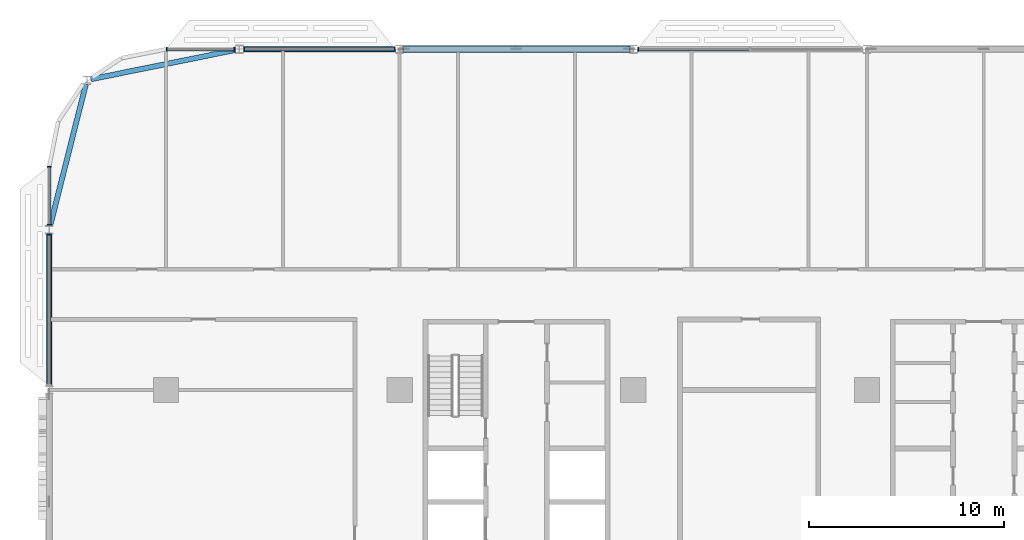
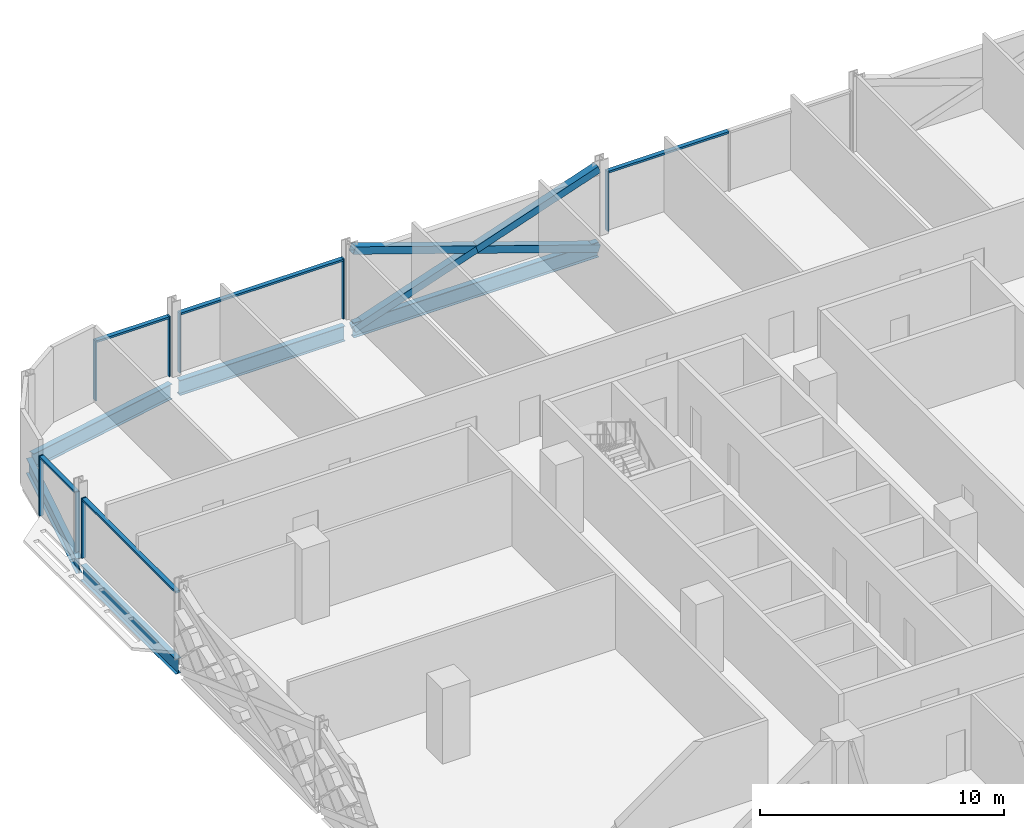
# One storey, part 6 of 29: 16 members, 5 beams, 5 elements without a shape of their own.
"""IFC4 building model written with IfcOpenShell, lengths in metres."""

from ifc_helpers import new_model, si_unit, direction, frame, origin, origin_2d, place, context, subcontext, project, spatial, rectangle, hollow_rectangle, i_section, extrude, material, material_profile, profile_set, type_object, element, aggregate, save


model = new_model("IFC4")

# Units and contexts
model_context = context("Model", 3, precision=1e-05, world=origin(), true_north=direction((0.0, 1.0)))
body_context = subcontext(model_context, "Body", "Model", "MODEL_VIEW")
ifc_project = project(units=[si_unit("LENGTHUNIT", "METRE"), si_unit("AREAUNIT", "SQUARE_METRE"), si_unit("VOLUMEUNIT", "CUBIC_METRE"), si_unit("PLANEANGLEUNIT", "RADIAN"), si_unit("MASSUNIT", "GRAM", prefix="KILO")], contexts=[model_context])

# Site, building, storey
site_placement = place(None, origin())
site = spatial("IfcSite", under=ifc_project, at=site_placement, CompositionType="ELEMENT")
building_placement = place(site_placement, origin())
building = spatial("IfcBuilding", under=site, at=building_placement, Name="Mahtab Terrace Research Tower", CompositionType="ELEMENT")
storey_placement = place(building_placement, frame((0.0, 0.0, 142.5)))
storey = spatial("IfcBuildingStorey", under=building, at=storey_placement, Name="L33", CompositionType="ELEMENT", Elevation=142.5)

# Members
ifc_material_1 = material(Name="Steel ASTM A500 Gr C", Category="steel")
ifc_material_profile_1 = material_profile(ifc_material_1, hollow_rectangle(XDim=0.355712890625, YDim=0.355712890625, WallThickness=0.01904296875, at=origin_2d()), Name="HSS14X14X3/4")
ifc_profile_set_1 = profile_set([ifc_material_profile_1], Name="Steel ASTM A500 Gr C")
member_type_1 = type_object("IfcMemberType", Name="HSS 14x14x3/4 brace XB141434", PredefinedType="BRACE", material=ifc_profile_set_1)
member_1_placement = place(storey_placement, frame((-18.205810546875, 29.0, -0.648193359375), z_axis=(-0.946288278, 0.0, 0.323324132908), x_axis=(0.0, -1.0, 0.0)))
element("IfcMember", 1, at=member_1_placement, inside=storey, type_object=member_type_1, Name="Exoskeleton brace L33 06 a", PredefinedType="BRACE", context=body_context, shape_type="SweptSolid", body=[
    extrude(hollow_rectangle(XDim=0.355712890625, YDim=0.355712890625, WallThickness=0.01904296875, at=origin_2d()), origin(), (0.0, 0.0, 1.0), 12.24609375),
])
for number, where, z_axis, x_axis, name in (
    (2, (-29.794189453125, 29.0, -0.648193359375), (0.946288278, 0.0, 0.323324132908), (0.0, 1.0, 0.0), "Exoskeleton brace L33 06 b1"),
    (3, (-24.0, 29.0, 1.33154296875), (0.946288278, 0.0, 0.323324132908), (0.0, 1.0, 0.0), "Exoskeleton brace L33 06 b2"),
):
    element("IfcMember", number, at=place(storey_placement, frame(where, z_axis=z_axis, x_axis=x_axis)), inside=storey, type_object=member_type_1, Name=name, PredefinedType="BRACE", context=body_context, shape_type="SweptSolid", body=[
        extrude(hollow_rectangle(XDim=0.355712890625, YDim=0.355712890625, WallThickness=0.01904296875, at=origin_2d()), origin(), (0.0, 0.0, 1.0), 6.123046875),
    ])

# Curtain wall, member
ifc_material_2 = material(Name="Laboratory ribbon curtain wall")
curtain_wall_type = type_object("IfcCurtainWallType", Name="Laboratory ribbon curtain wall", PredefinedType="NOTDEFINED", material=ifc_material_2)
curtain_wall_1_placement = place(storey_placement, origin())
curtain_wall_1 = element("IfcCurtainWall", 4, at=curtain_wall_1_placement, inside=storey, type_object=curtain_wall_type, Name="EN.L33.3.7", PredefinedType="NOTDEFINED")
ifc_material_3 = material(Name="Natural anodised aluminium", Category="aluminium")
ifc_material_profile_2 = material_profile(ifc_material_3, rectangle(XDim=0.199951171875, YDim=0.06494140625, at=origin_2d()), Name="MULLION 65x200")
ifc_profile_set_2 = profile_set([ifc_material_profile_2], Name="Natural anodised aluminium")
member_type_2 = type_object("IfcMemberType", Name="Laboratory ribbon curtain wall mullion", PredefinedType="MULLION", material=ifc_profile_set_2)
member_2_placement = place(storey_placement, frame((-17.74951171875, 29.0, 0.0), z_axis=(0.0, 0.0, 1.0), x_axis=(0.0, -1.0, 0.0)))
member_2 = element("IfcMember", 5, at=member_2_placement, type_object=member_type_2, Name="CWL-4 mullion 3", PredefinedType="MULLION", context=body_context, shape_type="SweptSolid", body=[
    extrude(rectangle(XDim=0.199951171875, YDim=0.06494140625, at=origin_2d()), origin(), (0.0, 0.0, 1.0), 3.003173828125),
])

# Curtain wall, members
curtain_wall_2_placement = place(storey_placement, origin())
curtain_wall_2 = element("IfcCurtainWall", 6, at=curtain_wall_2_placement, inside=storey, type_object=curtain_wall_type, Name="EN.L33.3.9", PredefinedType="NOTDEFINED")
member_3_placement = place(storey_placement, frame((-30.25048828125, 29.0, 0.0), z_axis=(0.0, 0.0, 1.0), x_axis=(0.0, -1.0, 0.0)))
member_3 = element("IfcMember", 7, at=member_3_placement, type_object=member_type_2, Name="CWL-4 mullion 1", PredefinedType="MULLION", context=body_context, shape_type="SweptSolid", body=[
    extrude(rectangle(XDim=0.199951171875, YDim=0.06494140625, at=origin_2d()), origin(), (0.0, 0.0, 1.0), 3.003173828125),
])
member_4_placement = place(storey_placement, frame((-37.98046875, 29.0, 0.0), z_axis=(0.0, 0.0, 1.0), x_axis=(0.0, -1.0, 0.0)))
member_4 = element("IfcMember", 8, at=member_4_placement, type_object=member_type_2, Name="CWL-4 mullion 2", PredefinedType="MULLION", context=body_context, shape_type="SweptSolid", body=[
    extrude(rectangle(XDim=0.199951171875, YDim=0.06494140625, at=origin_2d()), origin(), (0.0, 0.0, 1.0), 3.003173828125),
])

curtain_wall_3_placement = place(storey_placement, origin())
curtain_wall_3 = element("IfcCurtainWall", 9, at=curtain_wall_3_placement, inside=storey, type_object=curtain_wall_type, Name="EN.L33.3.10", PredefinedType="NOTDEFINED")
member_5_placement = place(storey_placement, frame((-38.4814453125, 29.0, 0.0), z_axis=(0.0, 0.0, 1.0), x_axis=(0.0, -1.0, 0.0)))
member_5 = element("IfcMember", 10, at=member_5_placement, type_object=member_type_2, Name="CWL-4 mullion 1", PredefinedType="MULLION", context=body_context, shape_type="SweptSolid", body=[
    extrude(rectangle(XDim=0.199951171875, YDim=0.06494140625, at=origin_2d()), origin(), (0.0, 0.0, 1.0), 3.003173828125),
])
member_6_placement = place(storey_placement, frame((-41.967529296875, 29.0, 0.0), z_axis=(0.0, 0.0, 1.0), x_axis=(0.0, -1.0, 0.0)))
member_6 = element("IfcMember", 11, at=member_6_placement, type_object=member_type_2, Name="CWL-4 mullion 2", PredefinedType="MULLION", context=body_context, shape_type="SweptSolid", body=[
    extrude(rectangle(XDim=0.199951171875, YDim=0.06494140625, at=origin_2d()), origin(), (0.0, 0.0, 1.0), 3.003173828125),
])

curtain_wall_4_placement = place(storey_placement, origin())
curtain_wall_4 = element("IfcCurtainWall", 12, at=curtain_wall_4_placement, inside=storey, type_object=curtain_wall_type, Name="EN.L33.8.15", PredefinedType="NOTDEFINED")
member_7_placement = place(storey_placement, frame((-48.0, 22.967529296875, 0.0), z_axis=(0.0, 0.0, 1.0), x_axis=(1.0, 0.0, 0.0)))
member_7 = element("IfcMember", 13, at=member_7_placement, type_object=member_type_2, Name="CWL-4 mullion 1", PredefinedType="MULLION", context=body_context, shape_type="SweptSolid", body=[
    extrude(rectangle(XDim=0.199951171875, YDim=0.06494140625, at=origin_2d()), origin(), (0.0, 0.0, 1.0), 3.003173828125),
])
member_8_placement = place(storey_placement, frame((-48.0, 19.9814453125, 0.0), z_axis=(0.0, 0.0, 1.0), x_axis=(1.0, 0.0, 0.0)))
member_8 = element("IfcMember", 14, at=member_8_placement, type_object=member_type_2, Name="CWL-4 mullion 2", PredefinedType="MULLION", context=body_context, shape_type="SweptSolid", body=[
    extrude(rectangle(XDim=0.199951171875, YDim=0.06494140625, at=origin_2d()), origin(), (0.0, 0.0, 1.0), 3.003173828125),
])

# Curtain wall, member
curtain_wall_5_placement = place(storey_placement, origin())
curtain_wall_5 = element("IfcCurtainWall", 15, at=curtain_wall_5_placement, inside=storey, type_object=curtain_wall_type, Name="EN.L33.8.16", PredefinedType="NOTDEFINED")
member_9_placement = place(storey_placement, frame((-48.0, 19.48046875, 0.0), z_axis=(0.0, 0.0, 1.0), x_axis=(1.0, 0.0, 0.0)))
member_9 = element("IfcMember", 16, at=member_9_placement, type_object=member_type_2, Name="CWL-4 mullion 1", PredefinedType="MULLION", context=body_context, shape_type="SweptSolid", body=[
    extrude(rectangle(XDim=0.199951171875, YDim=0.06494140625, at=origin_2d()), origin(), (0.0, 0.0, 1.0), 3.003173828125),
])

# Member
ifc_material_profile_3 = material_profile(ifc_material_3, rectangle(XDim=0.199951171875, YDim=0.10009765625, at=origin_2d()), Name="TRANSOM 100x200")
ifc_profile_set_3 = profile_set([ifc_material_profile_3], Name="Natural anodised aluminium")
member_type_3 = type_object("IfcMemberType", Name="Laboratory ribbon curtain wall transom", PredefinedType="USERDEFINED", material=ifc_profile_set_3)
member_10_placement = place(storey_placement, frame((-12.032470703125, 29.0, 2.953125), z_axis=(-1.0, 0.0, 0.0), x_axis=(0.0, -1.0, 0.0)))
member_10 = element("IfcMember", 17, at=member_10_placement, type_object=member_type_3, Name="CWL-4 transom 2", ObjectType="TRANSOM", PredefinedType="USERDEFINED", context=body_context, shape_type="SweptSolid", body=[
    extrude(rectangle(XDim=0.199951171875, YDim=0.10009765625, at=origin_2d()), origin(), (0.0, 0.0, 1.0), 5.6845703125),
])

aggregate(curtain_wall_1, [member_2, member_10])

member_11_placement = place(storey_placement, frame((-30.282958984375, 29.0, 2.953125), z_axis=(-1.0, 0.0, 0.0), x_axis=(0.0, -1.0, 0.0)))
member_11 = element("IfcMember", 18, at=member_11_placement, type_object=member_type_3, Name="CWL-4 transom 1", ObjectType="TRANSOM", PredefinedType="USERDEFINED", context=body_context, shape_type="SweptSolid", body=[
    extrude(rectangle(XDim=0.199951171875, YDim=0.10009765625, at=origin_2d()), origin(), (0.0, 0.0, 1.0), 7.6650390625),
])

aggregate(curtain_wall_2, [member_3, member_4, member_11])

member_12_placement = place(storey_placement, frame((-38.513916015625, 29.0, 2.953125), z_axis=(-1.0, 0.0, 0.0), x_axis=(0.0, -1.0, 0.0)))
member_12 = element("IfcMember", 19, at=member_12_placement, type_object=member_type_3, Name="CWL-4 transom 1", ObjectType="TRANSOM", PredefinedType="USERDEFINED", context=body_context, shape_type="SweptSolid", body=[
    extrude(rectangle(XDim=0.199951171875, YDim=0.10009765625, at=origin_2d()), origin(), (0.0, 0.0, 1.0), 3.421142578125),
])

aggregate(curtain_wall_3, [member_5, member_6, member_12])

member_13_placement = place(storey_placement, frame((-48.0, 22.93505859375, 2.953125), z_axis=(0.0, -1.0, 0.0), x_axis=(1.0, 0.0, 0.0)))
member_13 = element("IfcMember", 20, at=member_13_placement, type_object=member_type_3, Name="CWL-4 transom 1", ObjectType="TRANSOM", PredefinedType="USERDEFINED", context=body_context, shape_type="SweptSolid", body=[
    extrude(rectangle(XDim=0.199951171875, YDim=0.10009765625, at=origin_2d()), origin(), (0.0, 0.0, 1.0), 2.921142578125),
])

aggregate(curtain_wall_4, [member_7, member_8, member_13])

member_14_placement = place(storey_placement, frame((-48.0, 19.447998046875, 2.953125), z_axis=(0.0, -1.0, 0.0), x_axis=(1.0, 0.0, 0.0)))
member_14 = element("IfcMember", 21, at=member_14_placement, type_object=member_type_3, Name="CWL-4 transom 1", ObjectType="TRANSOM", PredefinedType="USERDEFINED", context=body_context, shape_type="SweptSolid", body=[
    extrude(rectangle(XDim=0.199951171875, YDim=0.10009765625, at=origin_2d()), origin(), (0.0, 0.0, 1.0), 7.6650390625),
])

aggregate(curtain_wall_5, [member_9, member_14])

# Beams
ifc_material_4 = material(Name="Steel ASTM A992 Gr 50", Category="steel")
ifc_material_profile_4 = material_profile(ifc_material_4, i_section(OverallWidth=0.2666015625, OverallDepth=0.7568359375, WebThickness=0.013916015625, FlangeThickness=0.019287109375, at=origin_2d()), Name="W30X108")
ifc_profile_set_4 = profile_set([ifc_material_profile_4], Name="Steel ASTM A992 Gr 50")
beam_type = type_object("IfcBeamType", Name="W30x108 beam BS30108", PredefinedType="BEAM", material=ifc_profile_set_4)
beam_1_placement = place(storey_placement, frame((-18.205810546875, 29.0, -0.718505859375), z_axis=(-1.0, 0.0, 0.0), x_axis=(0.0, -1.0, 0.0)))
element("IfcBeam", 22, at=beam_1_placement, inside=storey, type_object=beam_type, Name="Spandrel beam L33 06", PredefinedType="BEAM", context=body_context, shape_type="SweptSolid", body=[
    extrude(i_section(OverallWidth=0.2666015625, OverallDepth=0.7568359375, WebThickness=0.013916015625, FlangeThickness=0.019287109375, at=origin_2d()), origin(), (0.0, 0.0, 1.0), 11.58837890625),
])
beam_2_placement = place(storey_placement, frame((-30.205810546875, 29.0, -0.718505859375), z_axis=(-1.0, 0.0, 0.0), x_axis=(0.0, -1.0, 0.0)))
element("IfcBeam", 23, at=beam_2_placement, inside=storey, type_object=beam_type, Name="Spandrel beam L33 07", PredefinedType="BEAM", context=body_context, shape_type="SweptSolid", body=[
    extrude(i_section(OverallWidth=0.2666015625, OverallDepth=0.7568359375, WebThickness=0.013916015625, FlangeThickness=0.019287109375, at=origin_2d()), origin(), (0.0, 0.0, 1.0), 7.8193359375),
])
beam_3_placement = place(storey_placement, frame((-38.436767578125, 28.95849609375, -0.718505859375), z_axis=(-0.980144108674, -0.198286475161, 0.0), x_axis=(0.198286475161, -0.980144108674, 0.0)))
element("IfcBeam", 24, at=beam_3_placement, inside=storey, type_object=beam_type, Name="Spandrel beam L33 08", PredefinedType="BEAM", context=body_context, shape_type="SweptSolid", body=[
    extrude(i_section(OverallWidth=0.2666015625, OverallDepth=0.7568359375, WebThickness=0.013916015625, FlangeThickness=0.019287109375, at=origin_2d()), origin(), (0.0, 0.0, 1.0), 7.56982421875),
])
beam_4_placement = place(storey_placement, frame((-46.11669921875, 27.19873046875, -0.718505859375), z_axis=(-0.244547874366, -0.969637219347, 0.0), x_axis=(0.969637219347, -0.244547874366, 0.0)))
element("IfcBeam", 25, at=beam_4_placement, inside=storey, type_object=beam_type, Name="Spandrel beam L33 09", PredefinedType="BEAM", context=body_context, shape_type="SweptSolid", body=[
    extrude(i_section(OverallWidth=0.2666015625, OverallDepth=0.7568359375, WebThickness=0.013916015625, FlangeThickness=0.019287109375, at=origin_2d()), origin(), (0.0, 0.0, 1.0), 7.4775390625),
])
beam_5_placement = place(storey_placement, frame((-48.0, 19.513916015625, -0.718505859375), z_axis=(0.0, -1.0, 0.0), x_axis=(1.0, 0.0, 0.0)))
element("IfcBeam", 26, at=beam_5_placement, inside=storey, type_object=beam_type, Name="Spandrel beam L33 10", PredefinedType="BEAM", context=body_context, shape_type="SweptSolid", body=[
    extrude(i_section(OverallWidth=0.2666015625, OverallDepth=0.7568359375, WebThickness=0.013916015625, FlangeThickness=0.019287109375, at=origin_2d()), origin(), (0.0, 0.0, 1.0), 7.796875),
])

save(model, "model.ifc")
